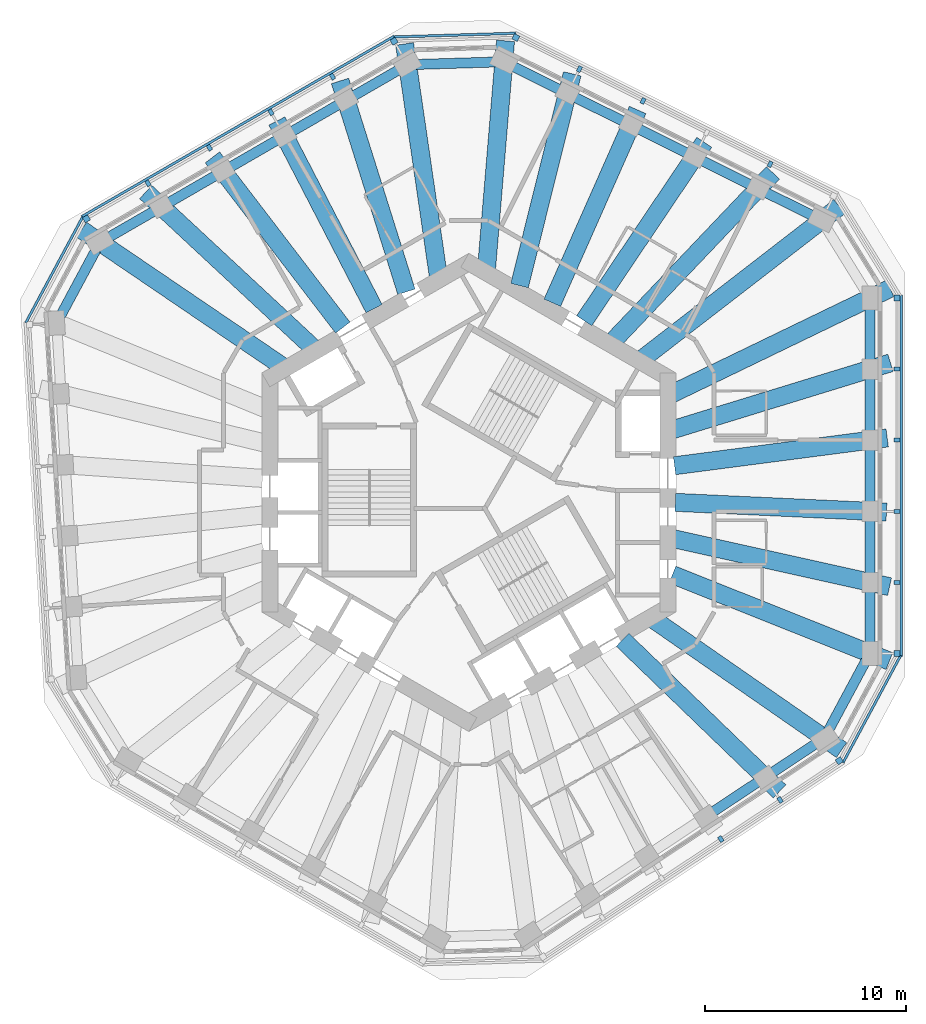
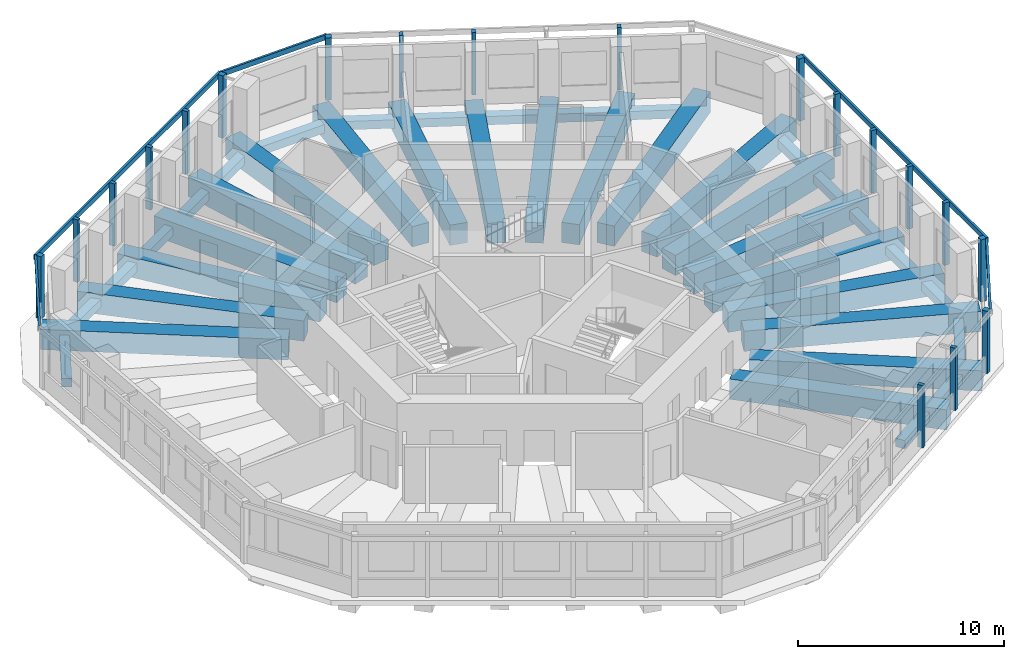
# One storey, part 2 of 11: 40 beams, 24 members, 7 elements without a shape of their own.
"""IFC4 building model written with IfcOpenShell, lengths in metres."""

import ifcopenshell
import ifcopenshell.guid

model = None  # the IFC model being written
_history = None  # IfcOwnerHistory: only IFC2X3 demands one
_inside = {}  # id of a spatial element -> (the spatial element, [elements in it])
_under = {}  # id of a project, library or spatial element -> (it, [spatial elements below it])
_declared = {}  # id of a project -> (the project, [libraries it declares])
_typed = {}  # id of a type object -> (the type object, [elements of that type])
_made_of = {}  # id of a material, layer set ... -> (it, [elements and type objects made of it])


def new_model(schema):
    """Start an empty IFC model of exactly this schema.

    Asked for "IFC4X3", IfcOpenShell would pick the latest addendum, in which some entities
    have other attributes; the version numbers below select the first issue.
    IFC2X3 requires an IfcOwnerHistory on every rooted entity: one is made here for all.
    """
    global model, _history
    if schema == "IFC4X3":
        model = ifcopenshell.file(schema_version=(4, 3, 0, 0))
    else:
        model = ifcopenshell.file(schema=schema)
    _inside.clear()
    _under.clear()
    _declared.clear()
    _typed.clear()
    _made_of.clear()
    _history = None
    if model.schema == "IFC2X3":
        org = make("IfcOrganization", Name="unknown")
        user = make(
            "IfcPersonAndOrganization",
            ThePerson=make("IfcPerson", FamilyName="unknown"),
            TheOrganization=org,
        )
        app = make(
            "IfcApplication",
            ApplicationDeveloper=org,
            Version="unknown",
            ApplicationFullName="unknown",
            ApplicationIdentifier="unknown",
        )
        _history = make(
            "IfcOwnerHistory",
            OwningUser=user,
            OwningApplication=app,
            ChangeAction="ADDED",
            CreationDate=0,
        )
    return model


def make(cls, **values):
    """One entity of the class cls with the attributes given. An attribute that is None is left unset."""
    return model.create_entity(
        cls, **{name: value for name, value in values.items() if value is not None}
    )


def rooted(cls, **values):
    """An entity with a GlobalId (a new one), such as an element, a storey or a relation."""
    return make(cls, GlobalId=ifcopenshell.guid.new(), OwnerHistory=_history, **values)


def si_unit(unit_type, name, prefix=None):
    """IfcSIUnit, for example si_unit("LENGTHUNIT", "METRE", prefix="MILLI")."""
    return make("IfcSIUnit", UnitType=unit_type, Prefix=prefix, Name=name)


def assignment(units):
    """IfcUnitAssignment: the units of a project."""
    return None if units is None else make("IfcUnitAssignment", Units=units)


def point(xyz):
    """IfcCartesianPoint."""
    return None if xyz is None else make("IfcCartesianPoint", Coordinates=xyz)


def direction(xyz):
    """IfcDirection."""
    return None if xyz is None else make("IfcDirection", DirectionRatios=xyz)


def frame(location, z_axis=None, x_axis=None):
    """IfcAxis2Placement3D, a coordinate frame: its origin and axes. An axis left out is left unset."""
    return make(
        "IfcAxis2Placement3D",
        Location=point(location),
        Axis=direction(z_axis),
        RefDirection=direction(x_axis),
    )


def frame_2d(location, x_axis=None):
    """IfcAxis2Placement2D, a coordinate frame in the plane: its origin and x axis."""
    return make(
        "IfcAxis2Placement2D", Location=point(location), RefDirection=direction(x_axis)
    )


def origin():
    """The frame at (0, 0, 0) with its axes left unset."""
    return frame((0.0, 0.0, 0.0))


def origin_2d():
    """The frame at (0, 0) in the plane with its x axis left unset."""
    return frame_2d((0.0, 0.0))


def place(relative_to, where):
    """IfcLocalPlacement: puts the frame where relative to a parent placement (None: the world)."""
    return make(
        "IfcLocalPlacement", PlacementRelTo=relative_to, RelativePlacement=where
    )


def context(
    kind, dimensions, precision=None, world=None, true_north=None, identifier=None
):
    """IfcGeometricRepresentationContext, for example the 3D "Model" context."""
    return make(
        "IfcGeometricRepresentationContext",
        ContextIdentifier=identifier,
        ContextType=kind,
        CoordinateSpaceDimension=dimensions,
        Precision=precision,
        WorldCoordinateSystem=world,
        TrueNorth=true_north,
    )


def subcontext(parent, identifier, kind, view, scale=None):
    """IfcGeometricRepresentationSubContext, for example "Body" below "Model"."""
    return make(
        "IfcGeometricRepresentationSubContext",
        ContextIdentifier=identifier,
        ContextType=kind,
        ParentContext=parent,
        TargetScale=scale,
        TargetView=view,
    )


def project(units=None, contexts=None):
    """IfcProject with its units and contexts."""
    return rooted(
        "IfcProject",
        Name="project",
        RepresentationContexts=contexts,
        UnitsInContext=assignment(units),
    )


def spatial(cls, under=None, at=None, **own):
    """A site, building, storey or space (cls), placed at a placement, below another one or the project."""
    s = rooted(cls, ObjectPlacement=at, **own)
    if under is not None:
        _under.setdefault(under.id(), (under, []))[1].append(s)
    return s


def profile(cls, at=None, kind="AREA", **sizes):
    """A parametric profile (cls). Its sizes go by their IFC names, for example OverallWidth=200.0."""
    return make(cls, ProfileType=kind, Position=at, **sizes)


def rectangle(**sizes):
    """IfcRectangleProfileDef."""
    return profile("IfcRectangleProfileDef", **sizes)


def extrude(swept, where, along, depth):
    """IfcExtrudedAreaSolid: the profile swept, set in the frame where, extruded along a direction by depth."""
    return make(
        "IfcExtrudedAreaSolid",
        SweptArea=swept,
        Position=where,
        ExtrudedDirection=direction(along),
        Depth=depth,
    )


def shape(context_of_items, identifier, shape_type, items):
    """IfcShapeRepresentation: the items that make up one representation, for example the "Body"."""
    return make(
        "IfcShapeRepresentation",
        ContextOfItems=context_of_items,
        RepresentationIdentifier=identifier,
        RepresentationType=shape_type,
        Items=items,
    )


def material(Name=None, Category=None):
    """IfcMaterial."""
    return make("IfcMaterial", Name=Name, Category=Category)


def material_profile(
    of_material, cross_section, Name=None, Category=None, Priority=None
):
    """IfcMaterialProfile: a cross section and its material."""
    return make(
        "IfcMaterialProfile",
        Name=Name,
        Material=of_material,
        Profile=cross_section,
        Priority=Priority,
        Category=Category,
    )


def profile_set(profiles, Name=None, composite=None):
    """IfcMaterialProfileSet."""
    return make(
        "IfcMaterialProfileSet",
        Name=Name,
        MaterialProfiles=profiles,
        CompositeProfile=composite,
    )


def made_of(thing, what):
    """Note that an element or type object is made of a material, layer set ...; save() writes the relation."""
    if what is not None:
        _made_of.setdefault(what.id(), (what, []))[1].append(thing)
    return thing


def type_object(cls, material=None, **own):
    """A type object (cls), such as IfcWallType, which elements share."""
    return made_of(rooted(cls, **own), material)


def element(
    cls,
    number,
    at=None,
    inside=None,
    cuts=None,
    type_object=None,
    material=None,
    context=None,
    identifier="Body",
    shape_type=None,
    held_by="IfcProductDefinitionShape",
    body=None,
    shapes=None,
    **own,
):
    """One element of the class cls, such as IfcWall. Its Tag is "e" and its number.

    at: its placement. inside: the storey or other place that contains it. cuts: it is an
    opening in that element (IfcRelVoidsElement). A single representation is given by context,
    identifier, shape_type and body (its items); several are given by shapes. held_by: the class
    of the entity that holds the representations. save() writes the other relations.
    """
    e = rooted(cls, Tag="e%d" % number, ObjectPlacement=at, **own)
    if body is not None:
        shapes = [shape(context, identifier, shape_type, body)]
    if shapes is not None:
        e.Representation = make(held_by, Representations=shapes)
    if inside is not None:
        _inside.setdefault(inside.id(), (inside, []))[1].append(e)
    if cuts is not None:
        rooted(
            "IfcRelVoidsElement", RelatingBuildingElement=cuts, RelatedOpeningElement=e
        )
    if type_object is not None:
        _typed.setdefault(type_object.id(), (type_object, []))[1].append(e)
    return made_of(e, material)


def aggregate(whole, parts):
    """IfcRelAggregates: a whole, such as a stair, and the parts it consists of."""
    return rooted("IfcRelAggregates", RelatingObject=whole, RelatedObjects=parts)


def save(model, path):
    """Write the relations noted so far, then the file.

    IfcRelAggregates (storeys below a building ...), IfcRelContainedInSpatialStructure (elements
    in a storey), IfcRelDefinesByType, IfcRelAssociatesMaterial and IfcRelDeclares: one each for
    every whole, place, type object, material and project.
    """
    for whole, parts in _under.values():
        aggregate(whole, parts)
    for where, things in _inside.values():
        rooted(
            "IfcRelContainedInSpatialStructure",
            RelatedElements=things,
            RelatingStructure=where,
        )
    for kind, things in _typed.values():
        rooted("IfcRelDefinesByType", RelatedObjects=things, RelatingType=kind)
    for what, things in _made_of.values():
        rooted("IfcRelAssociatesMaterial", RelatedObjects=things, RelatingMaterial=what)
    for by, libraries in _declared.values():
        rooted("IfcRelDeclares", RelatingContext=by, RelatedDefinitions=libraries)
    model.write(path)


model = new_model("IFC4")

# Units and contexts
model_context = context("Model", 3, precision=1e-05, world=origin(), true_north=direction((0.0, 1.0)))
body_context = subcontext(model_context, "Body", "Model", "MODEL_VIEW")
ifc_project = project(units=[si_unit("LENGTHUNIT", "METRE"), si_unit("AREAUNIT", "SQUARE_METRE"), si_unit("VOLUMEUNIT", "CUBIC_METRE"), si_unit("PLANEANGLEUNIT", "RADIAN"), si_unit("MASSUNIT", "GRAM", prefix="KILO")], contexts=[model_context])

# Site, building, storey
site_placement = place(None, origin())
site = spatial("IfcSite", under=ifc_project, at=site_placement, CompositionType="ELEMENT")
building_placement = place(site_placement, origin())
building = spatial("IfcBuilding", under=site, at=building_placement, Name="Vanh Sen Convention Tower", CompositionType="ELEMENT")
storey_placement = place(building_placement, frame((0.0, 0.0, 210.60009765625)))
storey = spatial("IfcBuildingStorey", under=building, at=storey_placement, Name="L52", CompositionType="ELEMENT", Elevation=210.60009765625)

# Curtain wall, members
ifc_material_1 = material(Name="Concrete C50/60", Category="concrete")
curtain_wall_type = type_object("IfcCurtainWallType", Name="Outer skin office zone", PredefinedType="NOTDEFINED", material=ifc_material_1)
curtain_wall_1_placement = place(storey_placement, origin())
curtain_wall_1 = element("IfcCurtainWall", 1, at=curtain_wall_1_placement, inside=storey, type_object=curtain_wall_type, Name="OUTER SKIN E L52", PredefinedType="NOTDEFINED")
ifc_material_profile_1 = material_profile(ifc_material_1, rectangle(XDim=0.300048828125, YDim=0.300048828125, at=origin_2d()), Name="Outer skin precast corner fin 300 x 300")
ifc_profile_set_1 = profile_set([ifc_material_profile_1], Name="Concrete C50/60")
member_type_1 = type_object("IfcMemberType", Name="Outer skin precast corner fin 300 x 300", PredefinedType="MULLION", material=ifc_profile_set_1)
member_1_placement = place(storey_placement, frame((21.300048828125, -8.002685546875, 0.0), z_axis=(0.0, 0.0, 1.0), x_axis=(0.0, 1.0, 0.0)))
member_1 = element("IfcMember", 2, at=member_1_placement, type_object=member_type_1, Name="OUTER SKIN CORNER FIN 1 E L52", PredefinedType="MULLION", context=body_context, shape_type="SweptSolid", body=[
    extrude(rectangle(XDim=0.300048828125, YDim=0.300048828125, at=origin_2d()), origin(), (0.0, 0.0, 1.0), 3.699951171875),
])
member_2_placement = place(storey_placement, frame((21.300048828125, 9.665283203125, 0.0), z_axis=(0.0, 0.0, 1.0), x_axis=(0.0, 1.0, 0.0)))
member_2 = element("IfcMember", 3, at=member_2_placement, type_object=member_type_1, Name="OUTER SKIN CORNER FIN 6 E L52", PredefinedType="MULLION", context=body_context, shape_type="SweptSolid", body=[
    extrude(rectangle(XDim=0.300048828125, YDim=0.300048828125, at=origin_2d()), origin(), (0.0, 0.0, 1.0), 3.699951171875),
])

# Curtain wall, member
curtain_wall_2_placement = place(storey_placement, origin())
curtain_wall_2 = element("IfcCurtainWall", 4, at=curtain_wall_2_placement, inside=storey, type_object=curtain_wall_type, Name="OUTER SKIN NE L52", PredefinedType="NOTDEFINED")
member_3_placement = place(storey_placement, frame((2.342041015625, 22.633056640625, 0.0), z_axis=(0.0, 0.0, 1.0), x_axis=(-0.894934361602, 0.44619781311, 0.0)))
member_3 = element("IfcMember", 5, at=member_3_placement, type_object=member_type_1, Name="OUTER SKIN CORNER FIN 6 NE L52", PredefinedType="MULLION", context=body_context, shape_type="SweptSolid", body=[
    extrude(rectangle(XDim=0.300048828125, YDim=0.300048828125, at=origin_2d()), origin(), (0.0, 0.0, 1.0), 3.699951171875),
])

# Curtain wall, members
curtain_wall_3_placement = place(storey_placement, origin())
curtain_wall_3 = element("IfcCurtainWall", 6, at=curtain_wall_3_placement, inside=storey, type_object=curtain_wall_type, Name="OUTER SKIN NW L52", PredefinedType="NOTDEFINED")
member_4_placement = place(storey_placement, frame((-3.719482421875, 22.44775390625, 0.0), z_axis=(0.0, 0.0, 1.0), x_axis=(-0.866025403784, -0.5, 0.0)))
member_4 = element("IfcMember", 7, at=member_4_placement, type_object=member_type_1, Name="OUTER SKIN CORNER FIN 1 NW L52", PredefinedType="MULLION", context=body_context, shape_type="SweptSolid", body=[
    extrude(rectangle(XDim=0.300048828125, YDim=0.300048828125, at=origin_2d()), origin(), (0.0, 0.0, 1.0), 3.699951171875),
])
member_5_placement = place(storey_placement, frame((-19.0205078125, 13.613525390625, 0.0), z_axis=(0.0, 0.0, 1.0), x_axis=(-0.866025403784, -0.5, 0.0)))
member_5 = element("IfcMember", 8, at=member_5_placement, type_object=member_type_1, Name="OUTER SKIN CORNER FIN 6 NW L52", PredefinedType="MULLION", context=body_context, shape_type="SweptSolid", body=[
    extrude(rectangle(XDim=0.300048828125, YDim=0.300048828125, at=origin_2d()), origin(), (0.0, 0.0, 1.0), 3.699951171875),
])

# Curtain wall, member
curtain_wall_4_placement = place(storey_placement, origin())
curtain_wall_4 = element("IfcCurtainWall", 9, at=curtain_wall_4_placement, inside=storey, type_object=curtain_wall_type, Name="OUTER SKIN SE L52", PredefinedType="NOTDEFINED")
member_6_placement = place(storey_placement, frame((18.4296875, -13.3447265625, 0.0), z_axis=(0.0, 0.0, 1.0), x_axis=(0.833885822067, 0.551936985312, 0.0)))
member_6 = element("IfcMember", 10, at=member_6_placement, type_object=member_type_1, Name="OUTER SKIN CORNER FIN 6 SE L52", PredefinedType="MULLION", context=body_context, shape_type="SweptSolid", body=[
    extrude(rectangle(XDim=0.300048828125, YDim=0.300048828125, at=origin_2d()), origin(), (0.0, 0.0, 1.0), 3.699951171875),
])

# Member
ifc_material_profile_2 = material_profile(ifc_material_1, rectangle(XDim=0.199951171875, YDim=0.300048828125, at=origin_2d()), Name="Outer skin precast fin 200 x 300")
ifc_profile_set_2 = profile_set([ifc_material_profile_2], Name="Concrete C50/60")
member_type_2 = type_object("IfcMemberType", Name="Outer skin precast fin 200 x 300", PredefinedType="MULLION", material=ifc_profile_set_2)
member_7_placement = place(storey_placement, frame((21.300048828125, -4.46923828125, 0.0), z_axis=(0.0, 0.0, 1.0), x_axis=(0.0, 1.0, 0.0)))
member_7 = element("IfcMember", 11, at=member_7_placement, type_object=member_type_2, Name="OUTER SKIN fin 2 E L52", PredefinedType="MULLION", context=body_context, shape_type="SweptSolid", body=[
    extrude(rectangle(XDim=0.199951171875, YDim=0.300048828125, at=origin_2d()), origin(), (0.0, 0.0, 1.0), 3.699951171875),
])

member_8_placement = place(storey_placement, frame((21.300048828125, -0.935546875, 0.0), z_axis=(0.0, 0.0, 1.0), x_axis=(0.0, 1.0, 0.0)))
member_8 = element("IfcMember", 12, at=member_8_placement, type_object=member_type_2, Name="OUTER SKIN fin 3 E L52", PredefinedType="MULLION", context=body_context, shape_type="SweptSolid", body=[
    extrude(rectangle(XDim=0.199951171875, YDim=0.300048828125, at=origin_2d()), origin(), (0.0, 0.0, 1.0), 3.699951171875),
])

member_9_placement = place(storey_placement, frame((21.300048828125, 2.59814453125, 0.0), z_axis=(0.0, 0.0, 1.0), x_axis=(0.0, 1.0, 0.0)))
member_9 = element("IfcMember", 13, at=member_9_placement, type_object=member_type_2, Name="OUTER SKIN fin 4 E L52", PredefinedType="MULLION", context=body_context, shape_type="SweptSolid", body=[
    extrude(rectangle(XDim=0.199951171875, YDim=0.300048828125, at=origin_2d()), origin(), (0.0, 0.0, 1.0), 3.699951171875),
])

member_10_placement = place(storey_placement, frame((21.300048828125, 6.131591796875, 0.0), z_axis=(0.0, 0.0, 1.0), x_axis=(0.0, 1.0, 0.0)))
member_10 = element("IfcMember", 14, at=member_10_placement, type_object=member_type_2, Name="OUTER SKIN fin 5 E L52", PredefinedType="MULLION", context=body_context, shape_type="SweptSolid", body=[
    extrude(rectangle(XDim=0.199951171875, YDim=0.300048828125, at=origin_2d()), origin(), (0.0, 0.0, 1.0), 3.699951171875),
])

member_11_placement = place(storey_placement, frame((14.99169921875, 16.326171875, 0.0), z_axis=(0.0, 0.0, 1.0), x_axis=(-0.894934361602, 0.44619781311, 0.0)))
member_11 = element("IfcMember", 15, at=member_11_placement, type_object=member_type_2, Name="OUTER SKIN fin 2 NE L52", PredefinedType="MULLION", context=body_context, shape_type="SweptSolid", body=[
    extrude(rectangle(XDim=0.199951171875, YDim=0.300048828125, at=origin_2d()), origin(), (0.0, 0.0, 1.0), 3.699951171875),
])

member_12_placement = place(storey_placement, frame((8.666748046875, 19.4794921875, 0.0), z_axis=(0.0, 0.0, 1.0), x_axis=(-0.894934361602, 0.44619781311, 0.0)))
member_12 = element("IfcMember", 16, at=member_12_placement, type_object=member_type_2, Name="OUTER SKIN fin 4 NE L52", PredefinedType="MULLION", context=body_context, shape_type="SweptSolid", body=[
    extrude(rectangle(XDim=0.199951171875, YDim=0.300048828125, at=origin_2d()), origin(), (0.0, 0.0, 1.0), 3.699951171875),
])

member_13_placement = place(storey_placement, frame((5.50439453125, 21.056396484375, 0.0), z_axis=(0.0, 0.0, 1.0), x_axis=(-0.894934361602, 0.44619781311, 0.0)))
member_13 = element("IfcMember", 17, at=member_13_placement, type_object=member_type_2, Name="OUTER SKIN fin 5 NE L52", PredefinedType="MULLION", context=body_context, shape_type="SweptSolid", body=[
    extrude(rectangle(XDim=0.199951171875, YDim=0.300048828125, at=origin_2d()), origin(), (0.0, 0.0, 1.0), 3.699951171875),
])

aggregate(curtain_wall_2, [member_11, member_12, member_13, member_3])

member_14_placement = place(storey_placement, frame((-6.779541015625, 20.680908203125, 0.0), z_axis=(0.0, 0.0, 1.0), x_axis=(-0.866025403784, -0.5, 0.0)))
member_14 = element("IfcMember", 18, at=member_14_placement, type_object=member_type_2, Name="OUTER SKIN fin 2 NW L52", PredefinedType="MULLION", context=body_context, shape_type="SweptSolid", body=[
    extrude(rectangle(XDim=0.199951171875, YDim=0.300048828125, at=origin_2d()), origin(), (0.0, 0.0, 1.0), 3.699951171875),
])

member_15_placement = place(storey_placement, frame((-9.83984375, 18.9140625, 0.0), z_axis=(0.0, 0.0, 1.0), x_axis=(-0.866025403784, -0.5, 0.0)))
member_15 = element("IfcMember", 19, at=member_15_placement, type_object=member_type_2, Name="OUTER SKIN fin 3 NW L52", PredefinedType="MULLION", context=body_context, shape_type="SweptSolid", body=[
    extrude(rectangle(XDim=0.199951171875, YDim=0.300048828125, at=origin_2d()), origin(), (0.0, 0.0, 1.0), 3.699951171875),
])

member_16_placement = place(storey_placement, frame((-12.89990234375, 17.147216796875, 0.0), z_axis=(0.0, 0.0, 1.0), x_axis=(-0.866025403784, -0.5, 0.0)))
member_16 = element("IfcMember", 20, at=member_16_placement, type_object=member_type_2, Name="OUTER SKIN fin 4 NW L52", PredefinedType="MULLION", context=body_context, shape_type="SweptSolid", body=[
    extrude(rectangle(XDim=0.199951171875, YDim=0.300048828125, at=origin_2d()), origin(), (0.0, 0.0, 1.0), 3.699951171875),
])

member_17_placement = place(storey_placement, frame((-15.960205078125, 15.38037109375, 0.0), z_axis=(0.0, 0.0, 1.0), x_axis=(-0.866025403784, -0.5, 0.0)))
member_17 = element("IfcMember", 21, at=member_17_placement, type_object=member_type_2, Name="OUTER SKIN fin 5 NW L52", PredefinedType="MULLION", context=body_context, shape_type="SweptSolid", body=[
    extrude(rectangle(XDim=0.199951171875, YDim=0.300048828125, at=origin_2d()), origin(), (0.0, 0.0, 1.0), 3.699951171875),
])

member_18_placement = place(storey_placement, frame((12.536376953125, -17.245361328125, 0.0), z_axis=(0.0, 0.0, 1.0), x_axis=(0.833885822067, 0.551936985312, 0.0)))
member_18 = element("IfcMember", 22, at=member_18_placement, type_object=member_type_2, Name="OUTER SKIN fin 4 SE L52", PredefinedType="MULLION", context=body_context, shape_type="SweptSolid", body=[
    extrude(rectangle(XDim=0.199951171875, YDim=0.300048828125, at=origin_2d()), origin(), (0.0, 0.0, 1.0), 3.699951171875),
])

member_19_placement = place(storey_placement, frame((15.48291015625, -15.294921875, 0.0), z_axis=(0.0, 0.0, 1.0), x_axis=(0.833885822067, 0.551936985312, 0.0)))
member_19 = element("IfcMember", 23, at=member_19_placement, type_object=member_type_2, Name="OUTER SKIN fin 5 SE L52", PredefinedType="MULLION", context=body_context, shape_type="SweptSolid", body=[
    extrude(rectangle(XDim=0.199951171875, YDim=0.300048828125, at=origin_2d()), origin(), (0.0, 0.0, 1.0), 3.699951171875),
])

aggregate(curtain_wall_4, [member_18, member_19, member_6])

ifc_material_profile_3 = material_profile(ifc_material_1, rectangle(XDim=0.1201171875, YDim=0.300048828125, at=origin_2d()), Name="Outer skin precast spandrel band 300 x 120")
ifc_profile_set_3 = profile_set([ifc_material_profile_3], Name="Concrete C50/60")
member_type_3 = type_object("IfcMemberType", Name="Outer skin precast spandrel band 300 x 120", PredefinedType="USERDEFINED", material=ifc_profile_set_3)
member_20_placement = place(storey_placement, frame((21.510009765625, -8.15283203125, 3.5498046875), z_axis=(0.0, 1.0, 0.0), x_axis=(-1.0, 0.0, 0.0)))
member_20 = element("IfcMember", 24, at=member_20_placement, type_object=member_type_3, Name="OUTER SKIN spandrel band E L52", ObjectType="TRANSOM", PredefinedType="USERDEFINED", context=body_context, shape_type="SweptSolid", body=[
    extrude(rectangle(XDim=0.1201171875, YDim=0.300048828125, at=origin_2d()), origin(), (0.0, 0.0, 1.0), 17.96826171875),
])

aggregate(curtain_wall_1, [member_1, member_7, member_8, member_9, member_10, member_2, member_20])

# Curtain wall, member
curtain_wall_5_placement = place(storey_placement, origin())
curtain_wall_5 = element("IfcCurtainWall", 25, at=curtain_wall_5_placement, inside=storey, type_object=curtain_wall_type, Name="OUTER SKIN CH2 L52", PredefinedType="NOTDEFINED")
member_21_placement = place(storey_placement, frame((2.335693359375, 22.843017578125, 3.5498046875), z_axis=(-0.999533054911, -0.030556049165, 0.0), x_axis=(0.030556049165, -0.999533054911, 0.0)))
member_21 = element("IfcMember", 26, at=member_21_placement, type_object=member_type_3, Name="OUTER SKIN spandrel band CH2 L52", ObjectType="TRANSOM", PredefinedType="USERDEFINED", context=body_context, shape_type="SweptSolid", body=[
    extrude(rectangle(XDim=0.1201171875, YDim=0.300048828125, at=origin_2d()), origin(), (0.0, 0.0, 1.0), 6.064453125),
])
aggregate(curtain_wall_5, [member_21])

# Member
member_22_placement = place(storey_placement, frame((-3.694580078125, 22.70458984375, 3.5498046875), z_axis=(-0.866022898019, -0.500004340088, 0.0), x_axis=(0.500004340088, -0.866022898019, 0.0)))
member_22 = element("IfcMember", 27, at=member_22_placement, type_object=member_type_3, Name="OUTER SKIN spandrel band NW L52", ObjectType="TRANSOM", PredefinedType="USERDEFINED", context=body_context, shape_type="SweptSolid", body=[
    extrude(rectangle(XDim=0.1201171875, YDim=0.300048828125, at=origin_2d()), origin(), (0.0, 0.0, 1.0), 17.968017578125),
])

aggregate(curtain_wall_3, [member_4, member_14, member_15, member_16, member_17, member_5, member_22])

# Curtain wall, member
curtain_wall_6_placement = place(storey_placement, origin())
curtain_wall_6 = element("IfcCurtainWall", 28, at=curtain_wall_6_placement, inside=storey, type_object=curtain_wall_type, Name="OUTER SKIN CH3 L52", PredefinedType="NOTDEFINED")
member_23_placement = place(storey_placement, frame((-19.20556640625, 13.712890625, 3.5498046875), z_axis=(-0.473317965247, -0.880891652688, 0.0), x_axis=(0.880891652688, -0.473317965247, 0.0)))
member_23 = element("IfcMember", 29, at=member_23_placement, type_object=member_type_3, Name="OUTER SKIN spandrel band CH3 L52", ObjectType="TRANSOM", PredefinedType="USERDEFINED", context=body_context, shape_type="SweptSolid", body=[
    extrude(rectangle(XDim=0.1201171875, YDim=0.300048828125, at=origin_2d()), origin(), (0.0, 0.0, 1.0), 5.978759765625),
])
aggregate(curtain_wall_6, [member_23])

curtain_wall_7_placement = place(storey_placement, origin())
curtain_wall_7 = element("IfcCurtainWall", 30, at=curtain_wall_7_placement, inside=storey, type_object=curtain_wall_type, Name="OUTER SKIN CH6 L52", PredefinedType="NOTDEFINED")
member_24_placement = place(storey_placement, frame((18.61474609375, -13.444091796875, 3.5498046875), z_axis=(0.473333785199, 0.880883152177, 0.0), x_axis=(-0.880883152177, 0.473333785199, 0.0)))
member_24 = element("IfcMember", 31, at=member_24_placement, type_object=member_type_3, Name="OUTER SKIN spandrel band CH6 L52", ObjectType="TRANSOM", PredefinedType="USERDEFINED", context=body_context, shape_type="SweptSolid", body=[
    extrude(rectangle(XDim=0.1201171875, YDim=0.300048828125, at=origin_2d()), origin(), (0.0, 0.0, 1.0), 6.064208984375),
])
aggregate(curtain_wall_7, [member_24])

# Beams
ifc_material_2 = material(Name="Concrete C50/60", Category="concrete")
ifc_material_profile_4 = material_profile(ifc_material_2, rectangle(XDim=0.5, YDim=0.5, at=origin_2d()), Name="RC 500X500")
ifc_profile_set_4 = profile_set([ifc_material_profile_4], Name="Concrete C50/60")
beam_type_1 = type_object("IfcBeamType", Name="Spandrel beam 500 x 500", PredefinedType="SPANDREL", material=ifc_profile_set_4)
beam_1_placement = place(storey_placement, frame((19.949951171875, -7.623046875, -0.530029296875), z_axis=(0.0, 1.0, 0.0), x_axis=(-1.0, 0.0, 0.0)))
element("IfcBeam", 32, at=beam_1_placement, inside=storey, type_object=beam_type_1, Name="Spandrel beam 01 L52", PredefinedType="SPANDREL", context=body_context, shape_type="SweptSolid", body=[
    extrude(rectangle(XDim=0.5, YDim=0.5, at=origin_2d()), origin(), (0.0, 0.0, 1.0), 2.75341796875),
])
beam_2_placement = place(storey_placement, frame((19.949951171875, -4.06884765625, -0.530029296875), z_axis=(0.0, 1.0, 0.0), x_axis=(-1.0, 0.0, 0.0)))
element("IfcBeam", 33, at=beam_2_placement, inside=storey, type_object=beam_type_1, Name="Spandrel beam 02 L52", PredefinedType="SPANDREL", context=body_context, shape_type="SweptSolid", body=[
    extrude(rectangle(XDim=0.5, YDim=0.5, at=origin_2d()), origin(), (0.0, 0.0, 1.0), 2.699462890625),
])
beam_3_placement = place(storey_placement, frame((19.949951171875, -0.50146484375, -0.530029296875), z_axis=(0.0, 1.0, 0.0), x_axis=(-1.0, 0.0, 0.0)))
element("IfcBeam", 34, at=beam_3_placement, inside=storey, type_object=beam_type_1, Name="Spandrel beam 03 L52", PredefinedType="SPANDREL", context=body_context, shape_type="SweptSolid", body=[
    extrude(rectangle(XDim=0.5, YDim=0.5, at=origin_2d()), origin(), (0.0, 0.0, 1.0), 2.683349609375),
])
beam_4_placement = place(storey_placement, frame((19.949951171875, 3.014404296875, -0.530029296875), z_axis=(0.0, 1.0, 0.0), x_axis=(-1.0, 0.0, 0.0)))
element("IfcBeam", 35, at=beam_4_placement, inside=storey, type_object=beam_type_1, Name="Spandrel beam 04 L52", PredefinedType="SPANDREL", context=body_context, shape_type="SweptSolid", body=[
    extrude(rectangle(XDim=0.5, YDim=0.5, at=origin_2d()), origin(), (0.0, 0.0, 1.0), 2.728271484375),
])
beam_5_placement = place(storey_placement, frame((19.949951171875, 6.520751953125, -0.530029296875), z_axis=(0.0, 1.0, 0.0), x_axis=(-1.0, 0.0, 0.0)))
element("IfcBeam", 36, at=beam_5_placement, inside=storey, type_object=beam_type_1, Name="Spandrel beam 05 L52", PredefinedType="SPANDREL", context=body_context, shape_type="SweptSolid", body=[
    extrude(rectangle(XDim=0.5, YDim=0.5, at=origin_2d()), origin(), (0.0, 0.0, 1.0), 2.770751953125),
])
beam_6_placement = place(storey_placement, frame((17.216796875, 13.708251953125, -0.530029296875), z_axis=(-0.89495529097, 0.446155832826, 0.0), x_axis=(-0.446155832826, -0.89495529097, 0.0)))
element("IfcBeam", 37, at=beam_6_placement, inside=storey, type_object=beam_type_1, Name="Spandrel beam 07 L52", PredefinedType="SPANDREL", context=body_context, shape_type="SweptSolid", body=[
    extrude(rectangle(XDim=0.5, YDim=0.5, at=origin_2d()), origin(), (0.0, 0.0, 1.0), 2.7705078125),
])
beam_7_placement = place(storey_placement, frame((14.041015625, 15.29150390625, -0.530029296875), z_axis=(-0.894927688906, 0.446211196218, 0.0), x_axis=(-0.446211196218, -0.894927688906, 0.0)))
element("IfcBeam", 38, at=beam_7_placement, inside=storey, type_object=beam_type_1, Name="Spandrel beam 08 L52", PredefinedType="SPANDREL", context=body_context, shape_type="SweptSolid", body=[
    extrude(rectangle(XDim=0.5, YDim=0.5, at=origin_2d()), origin(), (0.0, 0.0, 1.0), 2.728515625),
])
beam_8_placement = place(storey_placement, frame((10.854248046875, 16.88037109375, -0.530029296875), z_axis=(-0.894936130859, 0.446194264511, 0.0), x_axis=(-0.446194264511, -0.894936130859, 0.0)))
element("IfcBeam", 39, at=beam_8_placement, inside=storey, type_object=beam_type_1, Name="Spandrel beam 09 L52", PredefinedType="SPANDREL", context=body_context, shape_type="SweptSolid", body=[
    extrude(rectangle(XDim=0.5, YDim=0.5, at=origin_2d()), origin(), (0.0, 0.0, 1.0), 2.683349609375),
])
beam_9_placement = place(storey_placement, frame((7.676025390625, 18.465087890625, -0.530029296875), z_axis=(-0.894933149082, 0.44620024504, 0.0), x_axis=(-0.44620024504, -0.894933149082, 0.0)))
element("IfcBeam", 40, at=beam_9_placement, inside=storey, type_object=beam_type_1, Name="Spandrel beam 10 L52", PredefinedType="SPANDREL", context=body_context, shape_type="SweptSolid", body=[
    extrude(rectangle(XDim=0.5, YDim=0.5, at=origin_2d()), origin(), (0.0, 0.0, 1.0), 2.69921875),
])
beam_10_placement = place(storey_placement, frame((4.543701171875, 20.02685546875, -0.530029296875), z_axis=(-0.89494088247, 0.446184734032, 0.0), x_axis=(-0.446184734032, -0.89494088247, 0.0)))
element("IfcBeam", 41, at=beam_10_placement, inside=storey, type_object=beam_type_1, Name="Spandrel beam 11 L52", PredefinedType="SPANDREL", context=body_context, shape_type="SweptSolid", body=[
    extrude(rectangle(XDim=0.5, YDim=0.5, at=origin_2d()), origin(), (0.0, 0.0, 1.0), 2.75341796875),
])
beam_11_placement = place(storey_placement, frame((1.320556640625, 21.412109375, -0.530029296875), z_axis=(-0.999533201424, -0.030551256126, 0.0), x_axis=(0.030551256126, -0.999533201424, 0.0)))
element("IfcBeam", 42, at=beam_11_placement, inside=storey, type_object=beam_type_1, Name="Spandrel beam 12 L52", PredefinedType="SPANDREL", context=body_context, shape_type="SweptSolid", body=[
    extrude(rectangle(XDim=0.5, YDim=0.5, at=origin_2d()), origin(), (0.0, 0.0, 1.0), 3.94775390625),
])
beam_12_placement = place(storey_placement, frame((-3.373291015625, 21.088623046875, -0.530029296875), z_axis=(-0.866024638932, -0.500001324761, 0.0), x_axis=(0.500001324761, -0.866024638932, 0.0)))
element("IfcBeam", 43, at=beam_12_placement, inside=storey, type_object=beam_type_1, Name="Spandrel beam 13 L52", PredefinedType="SPANDREL", context=body_context, shape_type="SweptSolid", body=[
    extrude(rectangle(XDim=0.5, YDim=0.5, at=origin_2d()), origin(), (0.0, 0.0, 1.0), 2.75341796875),
])
beam_13_placement = place(storey_placement, frame((-6.451416015625, 19.3115234375, -0.530029296875), z_axis=(-0.866007835605, -0.500030427744, 0.0), x_axis=(0.500030427744, -0.866007835605, 0.0)))
element("IfcBeam", 44, at=beam_13_placement, inside=storey, type_object=beam_type_1, Name="Spandrel beam 14 L52", PredefinedType="SPANDREL", context=body_context, shape_type="SweptSolid", body=[
    extrude(rectangle(XDim=0.5, YDim=0.5, at=origin_2d()), origin(), (0.0, 0.0, 1.0), 2.698974609375),
])
beam_14_placement = place(storey_placement, frame((-9.540771484375, 17.528076171875, -0.530029296875), z_axis=(-0.865994666562, -0.500053234653, 0.0), x_axis=(0.500053234653, -0.865994666562, 0.0)))
element("IfcBeam", 45, at=beam_14_placement, inside=storey, type_object=beam_type_1, Name="Spandrel beam 15 L52", PredefinedType="SPANDREL", context=body_context, shape_type="SweptSolid", body=[
    extrude(rectangle(XDim=0.5, YDim=0.5, at=origin_2d()), origin(), (0.0, 0.0, 1.0), 2.683349609375),
])
beam_15_placement = place(storey_placement, frame((-12.58544921875, 15.77001953125, -0.530029296875), z_axis=(-0.86600974591, -0.500027119254, 0.0), x_axis=(0.500027119254, -0.86600974591, 0.0)))
element("IfcBeam", 46, at=beam_15_placement, inside=storey, type_object=beam_type_1, Name="Spandrel beam 16 L52", PredefinedType="SPANDREL", context=body_context, shape_type="SweptSolid", body=[
    extrude(rectangle(XDim=0.5, YDim=0.5, at=origin_2d()), origin(), (0.0, 0.0, 1.0), 2.728271484375),
])
beam_16_placement = place(storey_placement, frame((-15.6220703125, 14.016845703125, -0.530029296875), z_axis=(-0.866032975699, -0.499986884831, 0.0), x_axis=(0.499986884831, -0.866032975699, 0.0)))
element("IfcBeam", 47, at=beam_16_placement, inside=storey, type_object=beam_type_1, Name="Spandrel beam 17 L52", PredefinedType="SPANDREL", context=body_context, shape_type="SweptSolid", body=[
    extrude(rectangle(XDim=0.5, YDim=0.5, at=origin_2d()), origin(), (0.0, 0.0, 1.0), 2.7705078125),
])
beam_17_placement = place(storey_placement, frame((-18.544921875, 12.0732421875, -0.530029296875), z_axis=(-0.473331582914, -0.880884335549, 0.0), x_axis=(0.880884335549, -0.473331582914, 0.0)))
element("IfcBeam", 48, at=beam_17_placement, inside=storey, type_object=beam_type_1, Name="Spandrel beam 18 L52", PredefinedType="SPANDREL", context=body_context, shape_type="SweptSolid", body=[
    extrude(rectangle(XDim=0.5, YDim=0.5, at=origin_2d()), origin(), (0.0, 0.0, 1.0), 3.71533203125),
])
beam_18_placement = place(storey_placement, frame((12.1533203125, -15.880126953125, -0.530029296875), z_axis=(0.833882615992, 0.551941829133, 0.0), x_axis=(-0.551941829133, 0.833882615992, 0.0)))
element("IfcBeam", 49, at=beam_18_placement, inside=storey, type_object=beam_type_1, Name="Spandrel beam 34 L52", PredefinedType="SPANDREL", context=body_context, shape_type="SweptSolid", body=[
    extrude(rectangle(XDim=0.5, YDim=0.5, at=origin_2d()), origin(), (0.0, 0.0, 1.0), 2.69921875),
])
beam_19_placement = place(storey_placement, frame((15.07177734375, -13.9482421875, -0.530029296875), z_axis=(0.83392800498, 0.551873248591, 0.0), x_axis=(-0.551873248591, 0.83392800498, 0.0)))
element("IfcBeam", 50, at=beam_19_placement, inside=storey, type_object=beam_type_1, Name="Spandrel beam 35 L52", PredefinedType="SPANDREL", context=body_context, shape_type="SweptSolid", body=[
    extrude(rectangle(XDim=0.5, YDim=0.5, at=origin_2d()), origin(), (0.0, 0.0, 1.0), 2.75341796875),
])
beam_20_placement = place(storey_placement, frame((17.883056640625, -11.849609375, -0.530029296875), z_axis=(0.473317749449, 0.880891768639, 0.0), x_axis=(-0.880891768639, 0.473317749449, 0.0)))
element("IfcBeam", 51, at=beam_20_placement, inside=storey, type_object=beam_type_1, Name="Spandrel beam 36 L52", PredefinedType="SPANDREL", context=body_context, shape_type="SweptSolid", body=[
    extrude(rectangle(XDim=0.5, YDim=0.5, at=origin_2d()), origin(), (0.0, 0.0, 1.0), 3.947509765625),
])
ifc_material_profile_5 = material_profile(ifc_material_2, rectangle(XDim=0.89990234375, YDim=1.199951171875, at=origin_2d()), Name="RC 900X1200")
ifc_profile_set_5 = profile_set([ifc_material_profile_5], Name="Concrete C50/60")
beam_type_2 = type_object("IfcBeamType", Name="Transfer beam 900 x 1200", PredefinedType="BEAM", material=ifc_profile_set_5)
beam_21_placement = place(storey_placement, frame((20.92138671875, -8.389892578125, -0.60009765625), z_axis=(-0.928938265824, 0.370234653009, 0.0), x_axis=(-0.370234653009, -0.928938265824, 0.0)))
element("IfcBeam", 52, at=beam_21_placement, inside=storey, type_object=beam_type_2, Name="Transfer beam 01 L52", PredefinedType="BEAM", context=body_context, shape_type="SweptSolid", body=[
    extrude(rectangle(XDim=0.89990234375, YDim=1.199951171875, at=origin_2d()), origin(), (0.0, 0.0, 1.0), 11.618408203125),
])
beam_22_placement = place(storey_placement, frame((20.931640625, -4.687255859375, -0.60009765625), z_axis=(-0.976198552123, 0.216878737624, 0.0), x_axis=(-0.216878737624, -0.976198552123, 0.0)))
element("IfcBeam", 53, at=beam_22_placement, inside=storey, type_object=beam_type_2, Name="Transfer beam 02 L52", PredefinedType="BEAM", context=body_context, shape_type="SweptSolid", body=[
    extrude(rectangle(XDim=0.89990234375, YDim=1.199951171875, at=origin_2d()), origin(), (0.0, 0.0, 1.0), 10.995849609375),
])
beam_23_placement = place(storey_placement, frame((20.775634765625, -0.973388671875, -0.60009765625), z_axis=(-0.998950698292, 0.045798497594, 0.0), x_axis=(-0.045798497594, -0.998950698292, 0.0)))
element("IfcBeam", 54, at=beam_23_placement, inside=storey, type_object=beam_type_2, Name="Transfer beam 03 L52", PredefinedType="BEAM", context=body_context, shape_type="SweptSolid", body=[
    extrude(rectangle(XDim=0.89990234375, YDim=1.199951171875, at=origin_2d()), origin(), (0.0, 0.0, 1.0), 10.51220703125),
])
beam_24_placement = place(storey_placement, frame((20.813232421875, 2.710693359375, -0.60009765625), z_axis=(-0.991584449251, -0.12946150008, 0.0), x_axis=(0.12946150008, -0.991584449251, 0.0)))
element("IfcBeam", 55, at=beam_24_placement, inside=storey, type_object=beam_type_2, Name="Transfer beam 04 L52", PredefinedType="BEAM", context=body_context, shape_type="SweptSolid", body=[
    extrude(rectangle(XDim=0.89990234375, YDim=1.199951171875, at=origin_2d()), origin(), (0.0, 0.0, 1.0), 10.666259765625),
])
beam_25_placement = place(storey_placement, frame((20.977294921875, 6.447021484375, -0.60009765625), z_axis=(-0.955974318665, -0.293450340013, 0.0), x_axis=(0.293450340013, -0.955974318665, 0.0)))
element("IfcBeam", 56, at=beam_25_placement, inside=storey, type_object=beam_type_2, Name="Transfer beam 05 L52", PredefinedType="BEAM", context=body_context, shape_type="SweptSolid", body=[
    extrude(rectangle(XDim=0.89990234375, YDim=1.199951171875, at=origin_2d()), origin(), (0.0, 0.0, 1.0), 11.312255859375),
])
beam_26_placement = place(storey_placement, frame((20.9501953125, 10.148681640625, -0.60009765625), z_axis=(-0.900366943372, -0.43513143679, 0.0), x_axis=(0.43513143679, -0.900366943372, 0.0)))
element("IfcBeam", 57, at=beam_26_placement, inside=storey, type_object=beam_type_2, Name="Transfer beam 06 L52", PredefinedType="BEAM", context=body_context, shape_type="SweptSolid", body=[
    extrude(rectangle(XDim=0.89990234375, YDim=1.199951171875, at=origin_2d()), origin(), (0.0, 0.0, 1.0), 12.05126953125),
])
beam_27_placement = place(storey_placement, frame((18.4306640625, 14.220703125, -0.60009765625), z_axis=(-0.791198758895, -0.611559092748, 0.0), x_axis=(0.611559092748, -0.791198758895, 0.0)))
element("IfcBeam", 58, at=beam_27_placement, inside=storey, type_object=beam_type_2, Name="Transfer beam 07 L52", PredefinedType="BEAM", context=body_context, shape_type="SweptSolid", body=[
    extrude(rectangle(XDim=0.89990234375, YDim=1.199951171875, at=origin_2d()), origin(), (0.0, 0.0, 1.0), 12.328125),
])
beam_28_placement = place(storey_placement, frame((15.129638671875, 15.896484375, -0.60009765625), z_axis=(-0.689173672073, -0.7245961977, 0.0), x_axis=(0.7245961977, -0.689173672073, 0.0)))
element("IfcBeam", 59, at=beam_28_placement, inside=storey, type_object=beam_type_2, Name="Transfer beam 08 L52", PredefinedType="BEAM", context=body_context, shape_type="SweptSolid", body=[
    extrude(rectangle(XDim=0.89990234375, YDim=1.199951171875, at=origin_2d()), origin(), (0.0, 0.0, 1.0), 11.4619140625),
])
beam_29_placement = place(storey_placement, frame((11.712890625, 17.4169921875, -0.60009765625), z_axis=(-0.558317185267, -0.829627579481, 0.0), x_axis=(0.829627579481, -0.558317185267, 0.0)))
element("IfcBeam", 60, at=beam_29_placement, inside=storey, type_object=beam_type_2, Name="Transfer beam 09 L52", PredefinedType="BEAM", context=body_context, shape_type="SweptSolid", body=[
    extrude(rectangle(XDim=0.89990234375, YDim=1.199951171875, at=origin_2d()), origin(), (0.0, 0.0, 1.0), 10.701171875),
])
beam_30_placement = place(storey_placement, frame((8.39892578125, 19.027099609375, -0.60009765625), z_axis=(-0.404792732477, -0.914408466569, 0.0), x_axis=(0.914408466569, -0.404792732477, 0.0)))
element("IfcBeam", 61, at=beam_30_placement, inside=storey, type_object=beam_type_2, Name="Transfer beam 10 L52", PredefinedType="BEAM", context=body_context, shape_type="SweptSolid", body=[
    extrude(rectangle(XDim=0.89990234375, YDim=1.199951171875, at=origin_2d()), origin(), (0.0, 0.0, 1.0), 10.490234375),
])
beam_31_placement = place(storey_placement, frame((5.144775390625, 20.82373046875, -0.60009765625), z_axis=(-0.241456140353, -0.970411733382, 0.0), x_axis=(0.970411733382, -0.241456140353, 0.0)))
element("IfcBeam", 62, at=beam_31_placement, inside=storey, type_object=beam_type_2, Name="Transfer beam 11 L52", PredefinedType="BEAM", context=body_context, shape_type="SweptSolid", body=[
    extrude(rectangle(XDim=0.89990234375, YDim=1.199951171875, at=origin_2d()), origin(), (0.0, 0.0, 1.0), 10.857421875),
])
beam_32_placement = place(storey_placement, frame((1.82666015625, 22.466796875, -0.60009765625), z_axis=(-0.083097106213, -0.996541454702, 0.0), x_axis=(0.996541454702, -0.083097106213, 0.0)))
element("IfcBeam", 63, at=beam_32_placement, inside=storey, type_object=beam_type_2, Name="Transfer beam 12 L52", PredefinedType="BEAM", context=body_context, shape_type="SweptSolid", body=[
    extrude(rectangle(XDim=0.89990234375, YDim=1.199951171875, at=origin_2d()), origin(), (0.0, 0.0, 1.0), 11.349609375),
])
beam_33_placement = place(storey_placement, frame((-3.19482421875, 22.313232421875, -0.60009765625), z_axis=(0.143818618877, -0.989604064697, 0.0), x_axis=(0.989604064697, 0.143818618877, 0.0)))
element("IfcBeam", 64, at=beam_33_placement, inside=storey, type_object=beam_type_2, Name="Transfer beam 13 L52", PredefinedType="BEAM", context=body_context, shape_type="SweptSolid", body=[
    extrude(rectangle(XDim=0.89990234375, YDim=1.199951171875, at=origin_2d()), origin(), (0.0, 0.0, 1.0), 11.6181640625),
])
beam_34_placement = place(storey_placement, frame((-6.406494140625, 20.470947265625, -0.60009765625), z_axis=(0.300270537603, -0.953854079117, 0.0), x_axis=(0.953854079117, 0.300270537603, 0.0)))
element("IfcBeam", 65, at=beam_34_placement, inside=storey, type_object=beam_type_2, Name="Transfer beam 14 L52", PredefinedType="BEAM", context=body_context, shape_type="SweptSolid", body=[
    extrude(rectangle(XDim=0.89990234375, YDim=1.199951171875, at=origin_2d()), origin(), (0.0, 0.0, 1.0), 10.995849609375),
])
beam_35_placement = place(storey_placement, frame((-9.544921875, 18.478759765625, -0.60009765625), z_axis=(0.459867655548, -0.887987465779, 0.0), x_axis=(0.887987465779, 0.459867655548, 0.0)))
element("IfcBeam", 66, at=beam_35_placement, inside=storey, type_object=beam_type_2, Name="Transfer beam 15 L52", PredefinedType="BEAM", context=body_context, shape_type="SweptSolid", body=[
    extrude(rectangle(XDim=0.89990234375, YDim=1.199951171875, at=origin_2d()), origin(), (0.0, 0.0, 1.0), 10.51220703125),
])
beam_36_placement = place(storey_placement, frame((-12.75439453125, 16.66943359375, -0.60009765625), z_axis=(0.607968221225, -0.793961360509, 0.0), x_axis=(0.793961360509, 0.607968221225, 0.0)))
element("IfcBeam", 67, at=beam_36_placement, inside=storey, type_object=beam_type_2, Name="Transfer beam 16 L52", PredefinedType="BEAM", context=body_context, shape_type="SweptSolid", body=[
    extrude(rectangle(XDim=0.89990234375, YDim=1.199951171875, at=origin_2d()), origin(), (0.0, 0.0, 1.0), 10.66650390625),
])
beam_37_placement = place(storey_placement, frame((-16.072021484375, 14.943359375, -0.60009765625), z_axis=(0.732115147678, -0.68118089414, 0.0), x_axis=(0.68118089414, 0.732115147678, 0.0)))
element("IfcBeam", 68, at=beam_37_placement, inside=storey, type_object=beam_type_2, Name="Transfer beam 17 L52", PredefinedType="BEAM", context=body_context, shape_type="SweptSolid", body=[
    extrude(rectangle(XDim=0.89990234375, YDim=1.199951171875, at=origin_2d()), origin(), (0.0, 0.0, 1.0), 11.31201171875),
])
beam_38_placement = place(storey_placement, frame((-19.264404296875, 13.069091796875, -0.60009765625), z_axis=(0.827023702821, -0.56216705255, 0.0), x_axis=(0.56216705255, 0.827023702821, 0.0)))
element("IfcBeam", 69, at=beam_38_placement, inside=storey, type_object=beam_type_2, Name="Transfer beam 18 L52", PredefinedType="BEAM", context=body_context, shape_type="SweptSolid", body=[
    extrude(rectangle(XDim=0.89990234375, YDim=1.199951171875, at=origin_2d()), origin(), (0.0, 0.0, 1.0), 12.051513671875),
])
beam_39_placement = place(storey_placement, frame((15.461669921875, -14.867431640625, -0.60009765625), z_axis=(-0.719653260489, 0.69433362634, 0.0), x_axis=(-0.69433362634, -0.719653260489, 0.0)))
element("IfcBeam", 70, at=beam_39_placement, inside=storey, type_object=beam_type_2, Name="Transfer beam 35 L52", PredefinedType="BEAM", context=body_context, shape_type="SweptSolid", body=[
    extrude(rectangle(XDim=0.89990234375, YDim=1.199951171875, at=origin_2d()), origin(), (0.0, 0.0, 1.0), 10.857177734375),
])
beam_40_placement = place(storey_placement, frame((18.54345703125, -12.815185546875, -0.60009765625), z_axis=(-0.821437151856, 0.570299049228, 0.0), x_axis=(-0.570299049228, -0.821437151856, 0.0)))
element("IfcBeam", 71, at=beam_40_placement, inside=storey, type_object=beam_type_2, Name="Transfer beam 36 L52", PredefinedType="BEAM", context=body_context, shape_type="SweptSolid", body=[
    extrude(rectangle(XDim=0.89990234375, YDim=1.199951171875, at=origin_2d()), origin(), (0.0, 0.0, 1.0), 11.3486328125),
])

save(model, "model.ifc")
